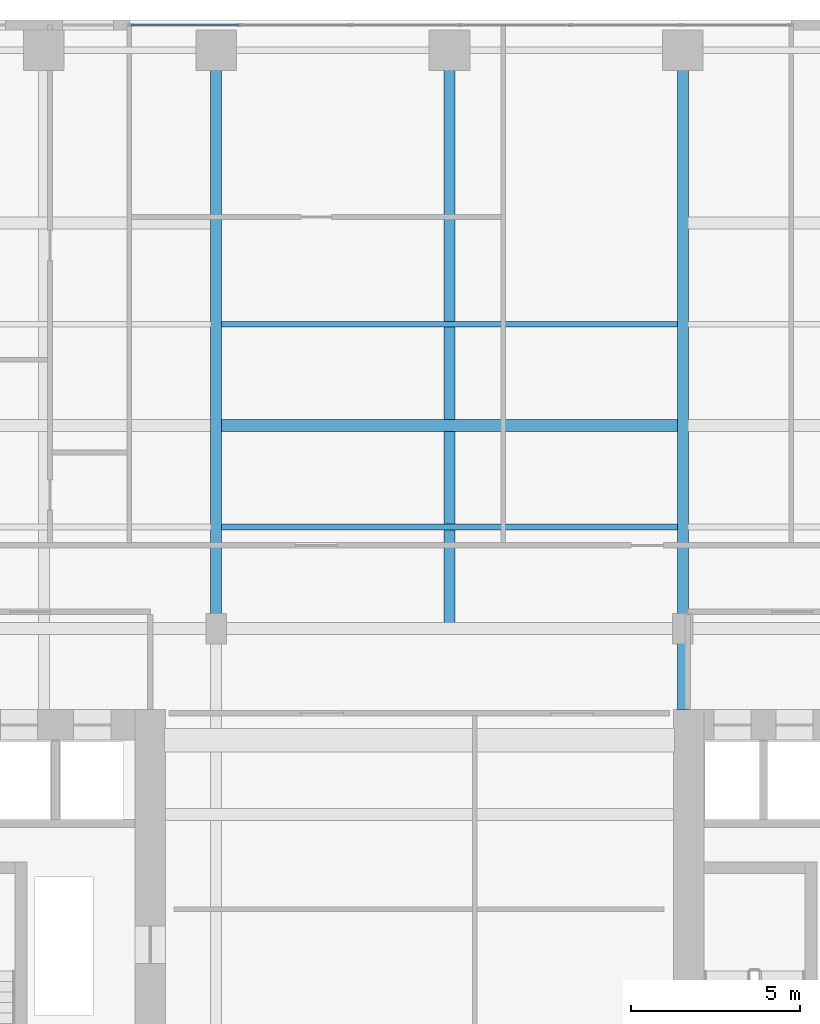
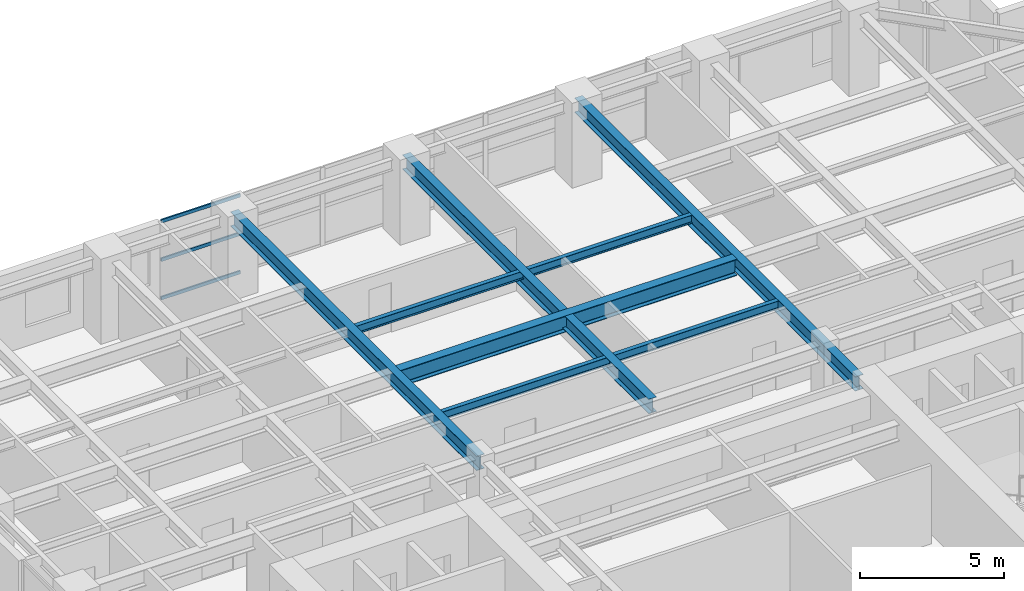
# One storey, part 13 of 24: 6 beams, 3 members, 1 element without a shape of its own.
"""IFC4 building model written with IfcOpenShell, lengths in metres."""

from ifc_helpers import new_model, si_unit, direction, frame, origin, origin_2d, place, context, subcontext, project, spatial, hollow_rectangle, i_section, extrude, source, transform, mapped, material, layer, layer_set, material_profile, profile_set, type_object, element, aggregate, save


model = new_model("IFC4")

# Units and contexts
model_context = context("Model", 3, precision=1e-05, world=origin(), true_north=direction((0.0, 1.0)))
body_context = subcontext(model_context, "Body", "Model", "MODEL_VIEW")
ifc_project = project(units=[si_unit("LENGTHUNIT", "METRE"), si_unit("AREAUNIT", "SQUARE_METRE"), si_unit("VOLUMEUNIT", "CUBIC_METRE"), si_unit("PLANEANGLEUNIT", "RADIAN"), si_unit("MASSUNIT", "GRAM", prefix="KILO")], contexts=[model_context])

# Site, building, storey
site_placement = place(None, origin())
site = spatial("IfcSite", under=ifc_project, at=site_placement, CompositionType="ELEMENT")
building_placement = place(site_placement, origin())
building = spatial("IfcBuilding", under=site, at=building_placement, Name="Khoralis Quay Care Tower", CompositionType="ELEMENT")
storey_placement = place(building_placement, frame((0.0, 0.0, 62.10009765625)))
storey = spatial("IfcBuildingStorey", under=building, at=storey_placement, Name="L16", CompositionType="ELEMENT", Elevation=62.10009765625)

# Beams
ifc_material_1 = material(Name="Steel S355", Category="steel")
ifc_material_profile_1 = material_profile(ifc_material_1, i_section(OverallWidth=0.35498046875, OverallDepth=0.695068359375, WebThickness=0.015380859375, FlangeThickness=0.02490234375, FilletRadius=0.02001953125, at=origin_2d()), Name="Steel S355")
ifc_profile_set_1 = profile_set([ifc_material_profile_1], Name="Steel S355")
beam_type_1 = type_object("IfcBeamType", Name="BM-W690X217", PredefinedType="BEAM", material=ifc_profile_set_1)
shared_shape_1 = source(origin(), body_context, "Body", "SweptSolid", [
    extrude(i_section(OverallWidth=0.35498046875, OverallDepth=0.695068359375, WebThickness=0.015380859375, FlangeThickness=0.02490234375, FilletRadius=0.02001953125, at=origin_2d()), origin(), (0.0, 0.0, 1.0), 13.4990234375),
])
beam_1_placement = place(storey_placement, frame((17.25048828125, 36.0, 2.972412109375), z_axis=(1.0, 0.0, 0.0), x_axis=(0.0, 1.0, 0.0)))
element("IfcBeam", 1, at=beam_1_placement, inside=storey, type_object=beam_type_1, Name="BM-TGCC-L16-360", PredefinedType="BEAM", context=body_context, shape_type="MappedRepresentation", body=[
    mapped(shared_shape_1, transform((0.0, 0.0, 0.0), scale=1.0)),
])
ifc_material_profile_2 = material_profile(ifc_material_1, i_section(OverallWidth=0.324951171875, OverallDepth=0.615966796875, WebThickness=0.013916015625, FlangeThickness=0.021484375, FilletRadius=0.01806640625, at=origin_2d()), Name="Steel S355")
ifc_profile_set_2 = profile_set([ifc_material_profile_2], Name="Steel S355")
beam_type_2 = type_object("IfcBeamType", Name="BM-W610X174", PredefinedType="BEAM", material=ifc_profile_set_2)
shared_shape_2 = source(origin(), body_context, "Body", "SweptSolid", [
    extrude(i_section(OverallWidth=0.324951171875, OverallDepth=0.615966796875, WebThickness=0.013916015625, FlangeThickness=0.021484375, FilletRadius=0.01806640625, at=origin_2d()), origin(), (0.0, 0.0, 1.0), 17.10009765625),
])
for number, where, z_axis, x_axis, name in (
    (2, (17.10009765625, 30.0, 3.011962890625), (0.0, 1.0, 0.0), (-1.0, 0.0, 0.0), "BM-TGYN-L16-171"),
    (3, (24.0, 30.0, 3.011962890625), (0.0, 1.0, 0.0), (-1.0, 0.0, 0.0), "BM-TGYN-L16-240"),
):
    element("IfcBeam", number, at=place(storey_placement, frame(where, z_axis=z_axis, x_axis=x_axis)), inside=storey, type_object=beam_type_2, Name=name, PredefinedType="BEAM", context=body_context, shape_type="MappedRepresentation", body=[
        mapped(shared_shape_2, transform((0.0, 0.0, 0.0), scale=1.0)),
    ])
shared_shape_3 = source(origin(), body_context, "Body", "SweptSolid", [
    extrude(i_section(OverallWidth=0.324951171875, OverallDepth=0.615966796875, WebThickness=0.013916015625, FlangeThickness=0.021484375, FilletRadius=0.01806640625, at=origin_2d()), origin(), (0.0, 0.0, 1.0), 19.502197265625),
])
beam_2_placement = place(storey_placement, frame((30.89990234375, 27.597900390625, 3.011962890625), z_axis=(0.0, 1.0, 0.0), x_axis=(-1.0, 0.0, 0.0)))
element("IfcBeam", 4, at=beam_2_placement, inside=storey, type_object=beam_type_2, Name="BM-TGYN-L16-309", PredefinedType="BEAM", context=body_context, shape_type="MappedRepresentation", body=[
    mapped(shared_shape_3, transform((0.0, 0.0, 0.0), scale=1.0)),
])
ifc_material_profile_3 = material_profile(ifc_material_1, i_section(OverallWidth=0.1708984375, OverallDepth=0.35498046875, WebThickness=0.007080078125, FlangeThickness=0.01171875, FilletRadius=0.012939453125, at=origin_2d()), Name="Steel S355")
ifc_profile_set_3 = profile_set([ifc_material_profile_3], Name="Steel S355")
beam_type_3 = type_object("IfcBeamType", Name="BM-W360X51", PredefinedType="JOIST", material=ifc_profile_set_3)
shared_shape_4 = source(origin(), body_context, "Body", "SweptSolid", [
    extrude(i_section(OverallWidth=0.1708984375, OverallDepth=0.35498046875, WebThickness=0.007080078125, FlangeThickness=0.01171875, FilletRadius=0.012939453125, at=origin_2d()), origin(), (0.0, 0.0, 1.0), 13.4990234375),
])
for number, where, z_axis, x_axis, name in (
    (5, (17.25048828125, 33.0, 3.142333984375), (1.0, 0.0, 0.0), (0.0, 1.0, 0.0), "BM-TJS-L16-34"),
    (6, (17.25048828125, 39.0, 3.142333984375), (1.0, 0.0, 0.0), (0.0, 1.0, 0.0), "BM-TJS-L16-37"),
):
    element("IfcBeam", number, at=place(storey_placement, frame(where, z_axis=z_axis, x_axis=x_axis)), inside=storey, type_object=beam_type_3, Name=name, PredefinedType="JOIST", context=body_context, shape_type="MappedRepresentation", body=[
        mapped(shared_shape_4, transform((0.0, 0.0, 0.0), scale=1.0)),
    ])

# Curtain wall, members
ifc_material_2 = material(Name="Pale anodised aluminium", Category="aluminium")
ifc_layer = layer(ifc_material_2, 0.179931640625)
ifc_layer_set = layer_set([ifc_layer], Name="Pale anodised aluminium")
curtain_wall_type = type_object("IfcCurtainWallType", Name="CW-SYS-Z1", PredefinedType="NOTDEFINED", material=ifc_layer_set)
curtain_wall_placement = place(storey_placement, origin())
curtain_wall = element("IfcCurtainWall", 7, at=curtain_wall_placement, inside=storey, type_object=curtain_wall_type, Name="L16 Unitised Curtain Wall CW-L16-P1-E10", PredefinedType="NOTDEFINED")
ifc_material_profile_4 = material_profile(ifc_material_2, hollow_rectangle(XDim=0.06005859375, YDim=0.139892578125, WallThickness=0.00390625, at=origin_2d()), Name="Pale anodised aluminium")
ifc_profile_set_4 = profile_set([ifc_material_profile_4], Name="Pale anodised aluminium")
member_type = type_object("IfcMemberType", Name="CW-TRN-140", PredefinedType="USERDEFINED", material=ifc_profile_set_4)
shared_shape_5 = source(origin(), body_context, "Body", "SweptSolid", [
    extrude(hollow_rectangle(XDim=0.06005859375, YDim=0.139892578125, WallThickness=0.00390625, at=origin_2d()), origin(), (0.0, 0.0, 1.0), 3.17333984375),
])
member_1_placement = place(storey_placement, frame((17.763427734375, 47.85009765625, 0.02978515625), z_axis=(-1.0, 0.0, 0.0), x_axis=(0.0, -1.0, 0.0)))
member_1 = element("IfcMember", 8, at=member_1_placement, type_object=member_type, Name="CW1 transom 6.1", ObjectType="TRANSOM", PredefinedType="USERDEFINED", context=body_context, shape_type="MappedRepresentation", body=[
    mapped(shared_shape_5, transform((0.0, 0.0, 0.0), scale=1.0)),
])
member_2_placement = place(storey_placement, frame((17.763427734375, 47.85009765625, 1.659912109375), z_axis=(-1.0, 0.0, 0.0), x_axis=(0.0, -1.0, 0.0)))
member_2 = element("IfcMember", 9, at=member_2_placement, type_object=member_type, Name="CW1 transom 6.2", ObjectType="TRANSOM", PredefinedType="USERDEFINED", context=body_context, shape_type="MappedRepresentation", body=[
    mapped(shared_shape_5, transform((0.0, 0.0, 0.0), scale=1.0)),
])
member_3_placement = place(storey_placement, frame((17.763427734375, 47.85009765625, 3.289794921875), z_axis=(-1.0, 0.0, 0.0), x_axis=(0.0, -1.0, 0.0)))
member_3 = element("IfcMember", 10, at=member_3_placement, type_object=member_type, Name="CW1 transom 6.3", ObjectType="TRANSOM", PredefinedType="USERDEFINED", context=body_context, shape_type="MappedRepresentation", body=[
    mapped(shared_shape_5, transform((0.0, 0.0, 0.0), scale=1.0)),
])
aggregate(curtain_wall, [member_1, member_2, member_3])

save(model, "model.ifc")
